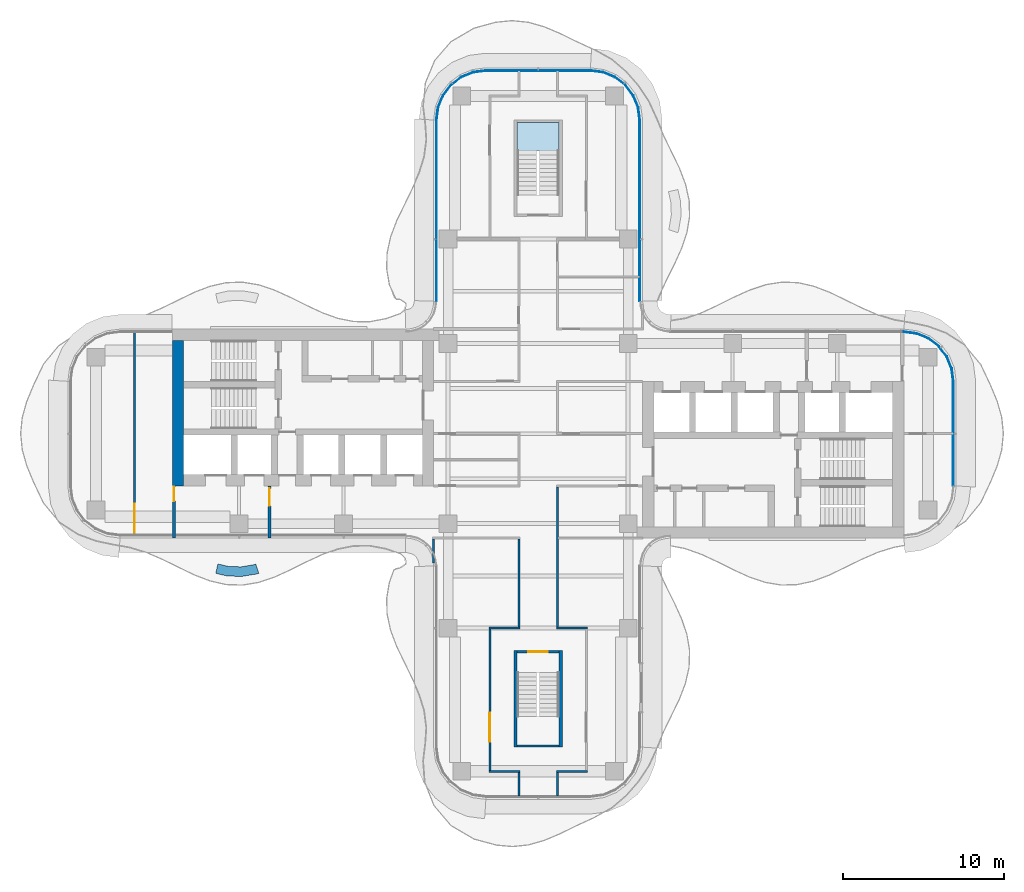
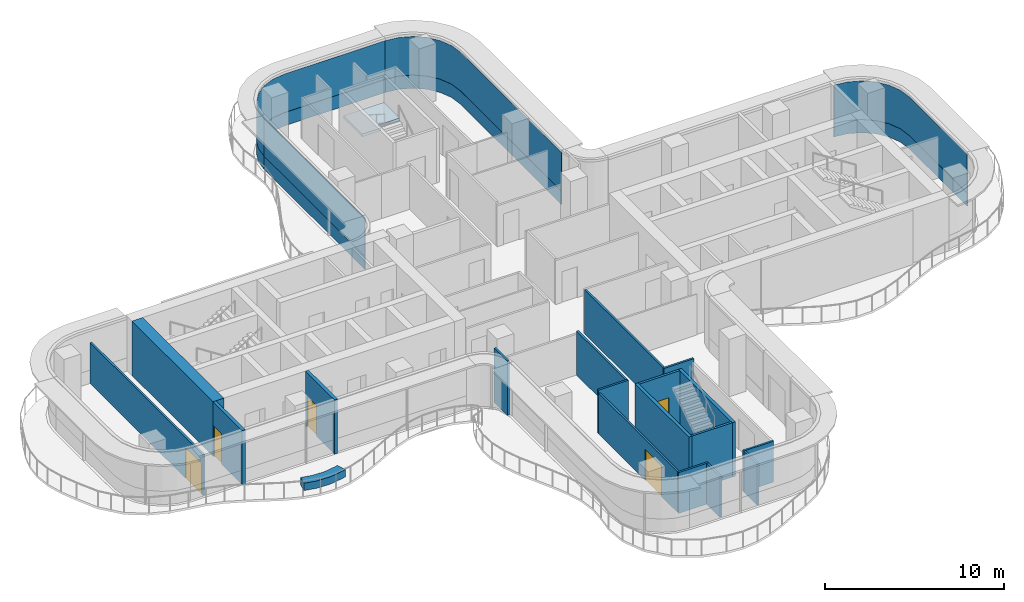
# One storey, part 10 of 16: 19 walls, 8 plates, 5 doors, 1 slab, 5 openings, 5 elements without a shape of their own.
"""IFC4 building model written with IfcOpenShell, lengths in metres."""

import ifcopenshell
import ifcopenshell.guid

model = None  # the IFC model being written
_history = None  # IfcOwnerHistory: only IFC2X3 demands one
_inside = {}  # id of a spatial element -> (the spatial element, [elements in it])
_under = {}  # id of a project, library or spatial element -> (it, [spatial elements below it])
_declared = {}  # id of a project -> (the project, [libraries it declares])
_typed = {}  # id of a type object -> (the type object, [elements of that type])
_made_of = {}  # id of a material, layer set ... -> (it, [elements and type objects made of it])


def new_model(schema):
    """Start an empty IFC model of exactly this schema.

    Asked for "IFC4X3", IfcOpenShell would pick the latest addendum, in which some entities
    have other attributes; the version numbers below select the first issue.
    IFC2X3 requires an IfcOwnerHistory on every rooted entity: one is made here for all.
    """
    global model, _history
    if schema == "IFC4X3":
        model = ifcopenshell.file(schema_version=(4, 3, 0, 0))
    else:
        model = ifcopenshell.file(schema=schema)
    _inside.clear()
    _under.clear()
    _declared.clear()
    _typed.clear()
    _made_of.clear()
    _history = None
    if model.schema == "IFC2X3":
        org = make("IfcOrganization", Name="unknown")
        user = make(
            "IfcPersonAndOrganization",
            ThePerson=make("IfcPerson", FamilyName="unknown"),
            TheOrganization=org,
        )
        app = make(
            "IfcApplication",
            ApplicationDeveloper=org,
            Version="unknown",
            ApplicationFullName="unknown",
            ApplicationIdentifier="unknown",
        )
        _history = make(
            "IfcOwnerHistory",
            OwningUser=user,
            OwningApplication=app,
            ChangeAction="ADDED",
            CreationDate=0,
        )
    return model


def make(cls, **values):
    """One entity of the class cls with the attributes given. An attribute that is None is left unset."""
    return model.create_entity(
        cls, **{name: value for name, value in values.items() if value is not None}
    )


def rooted(cls, **values):
    """An entity with a GlobalId (a new one), such as an element, a storey or a relation."""
    return make(cls, GlobalId=ifcopenshell.guid.new(), OwnerHistory=_history, **values)


def si_unit(unit_type, name, prefix=None):
    """IfcSIUnit, for example si_unit("LENGTHUNIT", "METRE", prefix="MILLI")."""
    return make("IfcSIUnit", UnitType=unit_type, Prefix=prefix, Name=name)


def assignment(units):
    """IfcUnitAssignment: the units of a project."""
    return None if units is None else make("IfcUnitAssignment", Units=units)


def point(xyz):
    """IfcCartesianPoint."""
    return None if xyz is None else make("IfcCartesianPoint", Coordinates=xyz)


def direction(xyz):
    """IfcDirection."""
    return None if xyz is None else make("IfcDirection", DirectionRatios=xyz)


def frame(location, z_axis=None, x_axis=None):
    """IfcAxis2Placement3D, a coordinate frame: its origin and axes. An axis left out is left unset."""
    return make(
        "IfcAxis2Placement3D",
        Location=point(location),
        Axis=direction(z_axis),
        RefDirection=direction(x_axis),
    )


def frame_2d(location, x_axis=None):
    """IfcAxis2Placement2D, a coordinate frame in the plane: its origin and x axis."""
    return make(
        "IfcAxis2Placement2D", Location=point(location), RefDirection=direction(x_axis)
    )


def origin():
    """The frame at (0, 0, 0) with its axes left unset."""
    return frame((0.0, 0.0, 0.0))


def place(relative_to, where):
    """IfcLocalPlacement: puts the frame where relative to a parent placement (None: the world)."""
    return make(
        "IfcLocalPlacement", PlacementRelTo=relative_to, RelativePlacement=where
    )


def context(
    kind, dimensions, precision=None, world=None, true_north=None, identifier=None
):
    """IfcGeometricRepresentationContext, for example the 3D "Model" context."""
    return make(
        "IfcGeometricRepresentationContext",
        ContextIdentifier=identifier,
        ContextType=kind,
        CoordinateSpaceDimension=dimensions,
        Precision=precision,
        WorldCoordinateSystem=world,
        TrueNorth=true_north,
    )


def subcontext(parent, identifier, kind, view, scale=None):
    """IfcGeometricRepresentationSubContext, for example "Body" below "Model"."""
    return make(
        "IfcGeometricRepresentationSubContext",
        ContextIdentifier=identifier,
        ContextType=kind,
        ParentContext=parent,
        TargetScale=scale,
        TargetView=view,
    )


def project(units=None, contexts=None):
    """IfcProject with its units and contexts."""
    return rooted(
        "IfcProject",
        Name="project",
        RepresentationContexts=contexts,
        UnitsInContext=assignment(units),
    )


def spatial(cls, under=None, at=None, **own):
    """A site, building, storey or space (cls), placed at a placement, below another one or the project."""
    s = rooted(cls, ObjectPlacement=at, **own)
    if under is not None:
        _under.setdefault(under.id(), (under, []))[1].append(s)
    return s


def polyline(points):
    """IfcPolyline through the points."""
    return make("IfcPolyline", Points=[point(p) for p in points])


def profile(cls, at=None, kind="AREA", **sizes):
    """A parametric profile (cls). Its sizes go by their IFC names, for example OverallWidth=200.0."""
    return make(cls, ProfileType=kind, Position=at, **sizes)


def rectangle(**sizes):
    """IfcRectangleProfileDef."""
    return profile("IfcRectangleProfileDef", **sizes)


def outline(outer, holes=None, kind="AREA"):
    """IfcArbitraryClosedProfileDef: a profile drawn as a closed curve; with holes, ...WithVoids."""
    if holes is None:
        return make("IfcArbitraryClosedProfileDef", ProfileType=kind, OuterCurve=outer)
    return make(
        "IfcArbitraryProfileDefWithVoids",
        ProfileType=kind,
        OuterCurve=outer,
        InnerCurves=holes,
    )


def extrude(swept, where, along, depth):
    """IfcExtrudedAreaSolid: the profile swept, set in the frame where, extruded along a direction by depth."""
    return make(
        "IfcExtrudedAreaSolid",
        SweptArea=swept,
        Position=where,
        ExtrudedDirection=direction(along),
        Depth=depth,
    )


def shape(context_of_items, identifier, shape_type, items):
    """IfcShapeRepresentation: the items that make up one representation, for example the "Body"."""
    return make(
        "IfcShapeRepresentation",
        ContextOfItems=context_of_items,
        RepresentationIdentifier=identifier,
        RepresentationType=shape_type,
        Items=items,
    )


def source(mapping_origin, context_of_items, identifier, shape_type, items):
    """IfcRepresentationMap: a shape defined once, which mapped items show again and again."""
    return make(
        "IfcRepresentationMap",
        MappingOrigin=mapping_origin,
        MappedRepresentation=shape(context_of_items, identifier, shape_type, items),
    )


def transform(
    local_origin,
    x_axis=None,
    y_axis=None,
    z_axis=None,
    scale=None,
    scale2=None,
    scale3=None,
    uniform=True,
):
    """IfcCartesianTransformationOperator3D, or its non-uniform kind. x_axis, y_axis, z_axis: its Axis1, 2, 3."""
    if uniform:
        return make(
            "IfcCartesianTransformationOperator3D",
            Axis1=direction(x_axis),
            Axis2=direction(y_axis),
            LocalOrigin=point(local_origin),
            Scale=scale,
            Axis3=direction(z_axis),
        )
    return make(
        "IfcCartesianTransformationOperator3DnonUniform",
        Axis1=direction(x_axis),
        Axis2=direction(y_axis),
        LocalOrigin=point(local_origin),
        Scale=scale,
        Axis3=direction(z_axis),
        Scale2=scale2,
        Scale3=scale3,
    )


def mapped(mapping_source, mapping_target):
    """IfcMappedItem: shows the shape of a source again, moved by a transform."""
    return make(
        "IfcMappedItem", MappingSource=mapping_source, MappingTarget=mapping_target
    )


def material(Name=None, Category=None):
    """IfcMaterial."""
    return make("IfcMaterial", Name=Name, Category=Category)


def layer(
    of_material, thickness, ventilated=None, Name=None, Category=None, Priority=None
):
    """IfcMaterialLayer: one layer of a wall or slab, of a material (None: an air gap)."""
    return make(
        "IfcMaterialLayer",
        Material=of_material,
        LayerThickness=thickness,
        IsVentilated=ventilated,
        Name=Name,
        Category=Category,
        Priority=Priority,
    )


def layer_set(layers, Name=None):
    """IfcMaterialLayerSet."""
    return make("IfcMaterialLayerSet", MaterialLayers=layers, LayerSetName=Name)


def made_of(thing, what):
    """Note that an element or type object is made of a material, layer set ...; save() writes the relation."""
    if what is not None:
        _made_of.setdefault(what.id(), (what, []))[1].append(thing)
    return thing


def type_object(cls, material=None, **own):
    """A type object (cls), such as IfcWallType, which elements share."""
    return made_of(rooted(cls, **own), material)


def element(
    cls,
    number,
    at=None,
    inside=None,
    cuts=None,
    type_object=None,
    material=None,
    context=None,
    identifier="Body",
    shape_type=None,
    held_by="IfcProductDefinitionShape",
    body=None,
    shapes=None,
    **own,
):
    """One element of the class cls, such as IfcWall. Its Tag is "e" and its number.

    at: its placement. inside: the storey or other place that contains it. cuts: it is an
    opening in that element (IfcRelVoidsElement). A single representation is given by context,
    identifier, shape_type and body (its items); several are given by shapes. held_by: the class
    of the entity that holds the representations. save() writes the other relations.
    """
    e = rooted(cls, Tag="e%d" % number, ObjectPlacement=at, **own)
    if body is not None:
        shapes = [shape(context, identifier, shape_type, body)]
    if shapes is not None:
        e.Representation = make(held_by, Representations=shapes)
    if inside is not None:
        _inside.setdefault(inside.id(), (inside, []))[1].append(e)
    if cuts is not None:
        rooted(
            "IfcRelVoidsElement", RelatingBuildingElement=cuts, RelatedOpeningElement=e
        )
    if type_object is not None:
        _typed.setdefault(type_object.id(), (type_object, []))[1].append(e)
    return made_of(e, material)


def fill(opening, filler):
    """IfcRelFillsElement: the door or window that sits in an opening."""
    return rooted(
        "IfcRelFillsElement",
        RelatingOpeningElement=opening,
        RelatedBuildingElement=filler,
    )


def aggregate(whole, parts):
    """IfcRelAggregates: a whole, such as a stair, and the parts it consists of."""
    return rooted("IfcRelAggregates", RelatingObject=whole, RelatedObjects=parts)


def save(model, path):
    """Write the relations noted so far, then the file.

    IfcRelAggregates (storeys below a building ...), IfcRelContainedInSpatialStructure (elements
    in a storey), IfcRelDefinesByType, IfcRelAssociatesMaterial and IfcRelDeclares: one each for
    every whole, place, type object, material and project.
    """
    for whole, parts in _under.values():
        aggregate(whole, parts)
    for where, things in _inside.values():
        rooted(
            "IfcRelContainedInSpatialStructure",
            RelatedElements=things,
            RelatingStructure=where,
        )
    for kind, things in _typed.values():
        rooted("IfcRelDefinesByType", RelatedObjects=things, RelatingType=kind)
    for what, things in _made_of.values():
        rooted("IfcRelAssociatesMaterial", RelatedObjects=things, RelatingMaterial=what)
    for by, libraries in _declared.values():
        rooted("IfcRelDeclares", RelatingContext=by, RelatedDefinitions=libraries)
    model.write(path)


model = new_model("IFC4")

# Units and contexts
model_context = context("Model", 3, precision=1e-05, world=origin(), true_north=direction((0.0, 1.0)))
body_context = subcontext(model_context, "Body", "Model", "MODEL_VIEW")
ifc_project = project(units=[si_unit("LENGTHUNIT", "METRE"), si_unit("AREAUNIT", "SQUARE_METRE"), si_unit("VOLUMEUNIT", "CUBIC_METRE"), si_unit("PLANEANGLEUNIT", "RADIAN"), si_unit("MASSUNIT", "GRAM", prefix="KILO")], contexts=[model_context])

# Site, building, storey
site_placement = place(None, origin())
site = spatial("IfcSite", under=ifc_project, at=site_placement, CompositionType="ELEMENT")
building_placement = place(site_placement, origin())
building = spatial("IfcBuilding", under=site, at=building_placement, Name="Trellis Farm Tower", CompositionType="ELEMENT")
storey_placement = place(building_placement, frame((0.0, 0.0, 251.89990234375)))
storey = spatial("IfcBuildingStorey", under=building, at=storey_placement, Name="L56", CompositionType="ELEMENT", Elevation=251.89990234375)

# Stair, slab
ifc_material_1 = material(Name="Concrete C50/60", Category="concrete")
stair_type = type_object("IfcStairType", Name="CORE EXIT STAIR 22 RISERS 177 MM", PredefinedType="HALF_TURN_STAIR", material=ifc_material_1)
placement_1 = place(storey_placement, origin())
stair = element("IfcStair", 1, at=placement_1, inside=storey, type_object=stair_type, Name="Exit stair N", PredefinedType="HALF_TURN_STAIR")
ifc_layer_1 = layer(ifc_material_1, 0.18994140625)
ifc_layer_set_1 = layer_set([ifc_layer_1], Name="CORE STAIR LANDING 190 CONCRETE C50/60")
slab_type = type_object("IfcSlabType", Name="CORE STAIR LANDING 190 CONCRETE C50/60", PredefinedType="LANDING", material=ifc_layer_set_1)
shared_shape_1 = source(origin(), body_context, "Body", "SweptSolid", [
    extrude(outline(polyline([(-0.10009765625, 17.27197265625), (-1.300048828125, 17.27197265625), (-1.300048828125, 17.60009765625), (-1.300048828125, 19.35009765625), (1.300048828125, 19.35009765625), (1.300048828125, 17.60009765625), (1.300048828125, 17.590087890625), (0.10009765625, 17.590087890625), (0.10009765625, 17.60009765625), (-0.10009765625, 17.60009765625), (-0.10009765625, 17.27197265625)])), origin(), (0.0, 0.0, 1.0), 0.190185546875),
])
slab_placement = place(storey_placement, frame((0.0, 0.0, 1.760009765625)))
slab = element("IfcSlab", 2, at=slab_placement, type_object=slab_type, Name="STN landing 1", PredefinedType="LANDING", context=body_context, shape_type="MappedRepresentation", body=[
    mapped(shared_shape_1, transform((0.0, 0.0, 0.0))),
])
aggregate(stair, [slab])

# Curtain wall, plates
ifc_material_2 = material(Name="Aluminium and glass curtain wall", Category="aluminium")
ifc_layer_2 = layer(ifc_material_2, 0.18994140625)
ifc_layer_set_2 = layer_set([ifc_layer_2], Name="RIBBON CURTAIN WALL CW1")
curtain_wall_type = type_object("IfcCurtainWallType", Name="RIBBON CURTAIN WALL CW1", PredefinedType="NOTDEFINED", material=ifc_layer_set_2)
curtain_wall_1 = element("IfcCurtainWall", 3, at=placement_1, inside=storey, type_object=curtain_wall_type, Name="CW1 009", PredefinedType="NOTDEFINED")
ifc_material_3 = material(Name="Clear insulated glass", Category="glass")
ifc_layer_3 = layer(ifc_material_3, 0.0400390625)
ifc_layer_set_3 = layer_set([ifc_layer_3], Name="CW1 GLASS PANEL 40")
plate_type_1 = type_object("IfcPlateType", Name="CW1 GLASS PANEL 40", PredefinedType="CURTAIN_PANEL", material=ifc_layer_set_3)
shared_shape_2 = source(origin(), body_context, "Body", "SweptSolid", [
    extrude(outline(polyline([(6.35009765625, 8.2265625), (6.35009765625, 19.490234375), (6.2431640625, 20.302001953125), (5.93359375, 21.04931640625), (5.441162109375, 21.691162109375), (4.79931640625, 22.18359375), (4.052001953125, 22.4931640625), (3.240234375, 22.60009765625), (3.237548828125, 22.56005859375), (4.04150390625, 22.4541015625), (4.779296875, 22.148681640625), (5.41259765625, 21.66259765625), (5.898681640625, 21.029296875), (6.2041015625, 20.29150390625), (6.31005859375, 19.487548828125), (6.31005859375, 8.22509765625), (6.35009765625, 8.2265625)])), origin(), (0.0, 0.0, 1.0), 2.619873046875),
])
placement_2 = place(storey_placement, frame((0.0, 0.0, 0.900146484375)))
plate_1 = element("IfcPlate", 4, at=placement_2, type_object=plate_type_1, Name="PL1 009", PredefinedType="CURTAIN_PANEL", context=body_context, shape_type="MappedRepresentation", body=[
    mapped(shared_shape_2, transform((0.0, 0.0, 0.0))),
])
ifc_material_4 = material(Name="Sandstone faced insulated panel", Category="masonry")
ifc_layer_4 = layer(ifc_material_4, 0.050048828125)
ifc_layer_set_4 = layer_set([ifc_layer_4], Name="CW1 STONE SPANDREL PANEL 50")
plate_type_2 = type_object("IfcPlateType", Name="CW1 STONE SPANDREL PANEL 50", PredefinedType="CURTAIN_PANEL", material=ifc_layer_set_4)
shared_shape_3 = source(origin(), body_context, "Body", "SweptSolid", [
    extrude(outline(polyline([(6.35009765625, 8.2265625), (6.35009765625, 19.490234375), (6.2431640625, 20.302001953125), (5.93359375, 21.04931640625), (5.441162109375, 21.691162109375), (4.79931640625, 22.18359375), (4.052001953125, 22.4931640625), (3.240234375, 22.60009765625), (3.23681640625, 22.550048828125), (4.0390625, 22.4443359375), (4.774169921875, 22.139892578125), (5.405517578125, 21.655517578125), (5.889892578125, 21.024169921875), (6.1943359375, 20.2890625), (6.300048828125, 19.48681640625), (6.300048828125, 8.224853515625), (6.35009765625, 8.2265625)])), origin(), (0.0, 0.0, 1.0), 0.900146484375),
])
plate_2 = element("IfcPlate", 5, at=placement_1, type_object=plate_type_2, Name="PS1 009", PredefinedType="CURTAIN_PANEL", context=body_context, shape_type="MappedRepresentation", body=[
    mapped(shared_shape_3, transform((0.0, 0.0, 0.0))),
])
aggregate(curtain_wall_1, [plate_1, plate_2])

curtain_wall_2 = element("IfcCurtainWall", 6, at=placement_1, inside=storey, type_object=curtain_wall_type, Name="CW1 011", PredefinedType="NOTDEFINED")
shared_shape_4 = source(origin(), body_context, "Body", "SweptSolid", [
    extrude(outline(polyline([(-6.35009765625, 19.490234375), (-6.35009765625, 8.2265625), (-6.31005859375, 8.22509765625), (-6.31005859375, 19.487548828125), (-6.35009765625, 19.490234375)])), origin(), (0.0, 0.0, 1.0), 2.619873046875),
])
plate_3 = element("IfcPlate", 7, at=placement_2, type_object=plate_type_1, Name="PL1 011", PredefinedType="CURTAIN_PANEL", context=body_context, shape_type="MappedRepresentation", body=[
    mapped(shared_shape_4, transform((0.0, 0.0, 0.0))),
])
shared_shape_5 = source(origin(), body_context, "Body", "SweptSolid", [
    extrude(outline(polyline([(-6.35009765625, 19.490234375), (-6.35009765625, 8.2265625), (-6.300048828125, 8.224853515625), (-6.300048828125, 19.48681640625), (-6.35009765625, 19.490234375)])), origin(), (0.0, 0.0, 1.0), 0.900146484375),
])
plate_4 = element("IfcPlate", 8, at=placement_1, type_object=plate_type_2, Name="PS1 011", PredefinedType="CURTAIN_PANEL", context=body_context, shape_type="MappedRepresentation", body=[
    mapped(shared_shape_5, transform((0.0, 0.0, 0.0))),
])
aggregate(curtain_wall_2, [plate_3, plate_4])

curtain_wall_3 = element("IfcCurtainWall", 9, at=placement_1, inside=storey, type_object=curtain_wall_type, Name="CW1 010", PredefinedType="NOTDEFINED")
shared_shape_6 = source(origin(), body_context, "Body", "SweptSolid", [
    extrude(outline(polyline([(3.240234375, 22.60009765625), (-3.240234375, 22.60009765625), (-4.052001953125, 22.4931640625), (-4.79931640625, 22.18359375), (-5.441162109375, 21.691162109375), (-5.93359375, 21.04931640625), (-6.2431640625, 20.302001953125), (-6.35009765625, 19.490234375), (-6.31005859375, 19.487548828125), (-6.2041015625, 20.29150390625), (-5.898681640625, 21.029296875), (-5.41259765625, 21.66259765625), (-4.779296875, 22.148681640625), (-4.04150390625, 22.4541015625), (-3.237548828125, 22.56005859375), (3.237548828125, 22.56005859375), (3.240234375, 22.60009765625)])), origin(), (0.0, 0.0, 1.0), 2.619873046875),
])
plate_5 = element("IfcPlate", 10, at=placement_2, type_object=plate_type_1, Name="PL1 010", PredefinedType="CURTAIN_PANEL", context=body_context, shape_type="MappedRepresentation", body=[
    mapped(shared_shape_6, transform((0.0, 0.0, 0.0))),
])
shared_shape_7 = source(origin(), body_context, "Body", "SweptSolid", [
    extrude(outline(polyline([(3.240234375, 22.60009765625), (-3.240234375, 22.60009765625), (-4.052001953125, 22.4931640625), (-4.79931640625, 22.18359375), (-5.441162109375, 21.691162109375), (-5.93359375, 21.04931640625), (-6.2431640625, 20.302001953125), (-6.35009765625, 19.490234375), (-6.300048828125, 19.48681640625), (-6.1943359375, 20.2890625), (-5.889892578125, 21.024169921875), (-5.405517578125, 21.655517578125), (-4.774169921875, 22.139892578125), (-4.0390625, 22.4443359375), (-3.23681640625, 22.550048828125), (3.23681640625, 22.550048828125), (3.240234375, 22.60009765625)])), origin(), (0.0, 0.0, 1.0), 0.900146484375),
])
plate_6 = element("IfcPlate", 11, at=placement_1, type_object=plate_type_2, Name="PS1 010", PredefinedType="CURTAIN_PANEL", context=body_context, shape_type="MappedRepresentation", body=[
    mapped(shared_shape_7, transform((0.0, 0.0, 0.0))),
])
aggregate(curtain_wall_3, [plate_5, plate_6])

curtain_wall_4 = element("IfcCurtainWall", 12, at=placement_1, inside=storey, type_object=curtain_wall_type, Name="CW1 007", PredefinedType="NOTDEFINED")
shared_shape_8 = source(origin(), body_context, "Body", "SweptSolid", [
    extrude(outline(polyline([(25.85009765625, -3.240234375), (25.85009765625, 3.240234375), (25.7431640625, 4.052001953125), (25.43359375, 4.79931640625), (24.941162109375, 5.441162109375), (24.29931640625, 5.93359375), (23.552001953125, 6.2431640625), (22.740234375, 6.35009765625), (22.737548828125, 6.31005859375), (23.54150390625, 6.2041015625), (24.279296875, 5.898681640625), (24.91259765625, 5.41259765625), (25.398681640625, 4.779296875), (25.7041015625, 4.04150390625), (25.81005859375, 3.237548828125), (25.81005859375, -3.237548828125), (25.85009765625, -3.240234375)])), origin(), (0.0, 0.0, 1.0), 2.619873046875),
])
plate_7 = element("IfcPlate", 13, at=placement_2, type_object=plate_type_1, Name="PL1 007", PredefinedType="CURTAIN_PANEL", context=body_context, shape_type="MappedRepresentation", body=[
    mapped(shared_shape_8, transform((0.0, 0.0, 0.0))),
])
shared_shape_9 = source(origin(), body_context, "Body", "SweptSolid", [
    extrude(outline(polyline([(25.85009765625, -3.240234375), (25.85009765625, 3.240234375), (25.7431640625, 4.052001953125), (25.43359375, 4.79931640625), (24.941162109375, 5.441162109375), (24.29931640625, 5.93359375), (23.552001953125, 6.2431640625), (22.740234375, 6.35009765625), (22.73681640625, 6.300048828125), (23.5390625, 6.1943359375), (24.274169921875, 5.889892578125), (24.905517578125, 5.405517578125), (25.389892578125, 4.774169921875), (25.6943359375, 4.0390625), (25.800048828125, 3.23681640625), (25.800048828125, -3.23681640625), (25.85009765625, -3.240234375)])), origin(), (0.0, 0.0, 1.0), 0.900146484375),
])
plate_8 = element("IfcPlate", 14, at=placement_1, type_object=plate_type_2, Name="PS1 007", PredefinedType="CURTAIN_PANEL", context=body_context, shape_type="MappedRepresentation", body=[
    mapped(shared_shape_9, transform((0.0, 0.0, 0.0))),
])
aggregate(curtain_wall_4, [plate_7, plate_8])

# Walls
ifc_material_5 = material(Name="Sandstone faced masonry planter", Category="masonry")
ifc_layer_5 = layer(ifc_material_5, 0.60009765625)
ifc_layer_set_5 = layer_set([ifc_layer_5], Name="PLANTER BED 600")
wall_type_1 = type_object("IfcWallType", Name="PLANTER BED 600", PredefinedType="USERDEFINED", material=ifc_layer_set_5)
element("IfcWall", 15, at=placement_1, inside=storey, type_object=wall_type_1, Name="PLANTER bed", ObjectType="PLANTER", PredefinedType="USERDEFINED", context=body_context, shape_type="SweptSolid", body=[
    extrude(outline(polyline([(-18.44921875, -8.88671875), (-19.338623046875, -8.854248046875), (-20.050048828125, -8.6923828125), (-19.9169921875, -8.107421875), (-19.260498046875, -8.256591796875), (-18.487060546875, -8.284912109375), (-17.665283203125, -8.151123046875), (-17.56005859375, -8.115478515625), (-17.368896484375, -8.684326171875), (-17.5205078125, -8.7353515625), (-18.44921875, -8.88671875)])), origin(), (0.0, 0.0, 1.0), 0.5),
])
ifc_material_6 = material(Name="Concrete C60/75", Category="concrete")
ifc_layer_6 = layer(ifc_material_6, 0.699951171875)
ifc_layer_set_6 = layer_set([ifc_layer_6], Name="CORE OUTER WALL 700 CONCRETE C60/75")
wall_type_2 = type_object("IfcWallType", Name="CORE OUTER WALL 700 CONCRETE C60/75", PredefinedType="SHEAR", material=ifc_layer_set_6)
shared_shape_10 = source(origin(), body_context, "Body", "SweptSolid", [
    extrude(rectangle(XDim=9.050048828125, YDim=0.699951171875, at=frame_2d((4.52490234375, 0.0))), origin(), (0.0, 0.0, 1.0), 3.7001953125),
])
wall_2_placement = place(storey_placement, frame((-22.39990234375, 5.800048828125, 0.0), z_axis=(0.0, 0.0, 1.0), x_axis=(0.0, -1.0, 0.0)))
element("IfcWall", 16, at=wall_2_placement, inside=storey, type_object=wall_type_2, Name="Core wall", PredefinedType="SHEAR", context=body_context, shape_type="MappedRepresentation", body=[
    mapped(shared_shape_10, transform((0.0, 0.0, 0.0))),
])

# Wall, opening, door
ifc_material_7 = material(Name="Masonry blockwork", Category="masonry")
ifc_layer_7 = layer(ifc_material_7, 0.199951171875)
ifc_layer_set_7 = layer_set([ifc_layer_7], Name="FIRE LOBBY PARTITION 200 BLOCKWORK")
wall_type_3 = type_object("IfcWallType", Name="FIRE LOBBY PARTITION 200 BLOCKWORK", PredefinedType="PARTITIONING", material=ifc_layer_set_7)
shared_shape_11 = source(origin(), body_context, "Body", "SweptSolid", [
    extrude(rectangle(XDim=3.25, YDim=0.199951171875, at=frame_2d((1.625, 0.0))), origin(), (0.0, 0.0, 1.0), 3.7001953125),
])
wall_3_placement = place(storey_placement, frame((-16.699951171875, -3.25, 0.0), z_axis=(0.0, 0.0, 1.0), x_axis=(0.0, -1.0, 0.0)))
wall_3 = element("IfcWall", 17, at=wall_3_placement, inside=storey, type_object=wall_type_3, Name="Fire-fighting lobby partition", PredefinedType="PARTITIONING", context=body_context, shape_type="MappedRepresentation", body=[
    mapped(shared_shape_11, transform((0.0, 0.0, 0.0))),
])
shared_shape_12 = source(origin(), body_context, "Body", "SweptSolid", [
    extrude(rectangle(XDim=1.10009765625, YDim=2.10009765625, at=frame_2d((0.550048828125, 1.050048828125))), frame((0.0, 0.110107421875, 0.0), z_axis=(0.0, -1.0, 0.0), x_axis=(1.0, 0.0, 0.0)), (0.0, 0.0, 1.0), 0.22021484375),
])
opening_1_placement = place(wall_3_placement, frame((0.14990234375, 0.0, 0.0)))
opening_1 = element("IfcOpeningElement", 18, at=opening_1_placement, cuts=wall_3, Name="Opening DC93", PredefinedType="OPENING", context=body_context, shape_type="MappedRepresentation", body=[
    mapped(shared_shape_12, transform((0.0, 0.0, 0.0))),
])
ifc_material_8 = material(Name="Steel", Category="steel")
door_type_1 = type_object("IfcDoorType", Name="CORE FIRE DOOR 1100 X 2100", OperationType="NOTDEFINED", PredefinedType="DOOR", material=ifc_material_8)
shared_shape_13 = source(origin(), body_context, "Body", "SweptSolid", [
    extrude(rectangle(XDim=1.10009765625, YDim=2.10009765625, at=frame_2d((0.550048828125, 1.050048828125))), frame((0.0, 0.02490234375, 0.0), z_axis=(0.0, -1.0, 0.0), x_axis=(1.0, 0.0, 0.0)), (0.0, 0.0, 1.0), 0.050048828125),
])
door_1_placement = place(opening_1_placement, origin())
door_1 = element("IfcDoor", 19, at=door_1_placement, inside=storey, type_object=door_type_1, Name="Core door", OperationType="SINGLE_SWING_RIGHT", OverallHeight=2.10009765625, OverallWidth=1.10009765625, PredefinedType="DOOR", context=body_context, shape_type="MappedRepresentation", body=[
    mapped(shared_shape_13, transform((0.0, 0.0, 0.0))),
])
fill(opening_1, door_1)

wall_4_placement = place(storey_placement, frame((-22.64990234375, -3.25, 0.0), z_axis=(0.0, 0.0, 1.0), x_axis=(0.0, -1.0, 0.0)))
wall_4 = element("IfcWall", 20, at=wall_4_placement, inside=storey, type_object=wall_type_3, Name="Fire-fighting lobby partition", PredefinedType="PARTITIONING", context=body_context, shape_type="MappedRepresentation", body=[
    mapped(shared_shape_11, transform((0.0, 0.0, 0.0))),
])
shared_shape_14 = source(origin(), body_context, "Body", "SweptSolid", [
    extrude(rectangle(XDim=0.89990234375, YDim=2.10009765625, at=frame_2d((0.449951171875, 1.050048828125))), frame((0.0, 0.110107421875, 0.0), z_axis=(0.0, -1.0, 0.0), x_axis=(1.0, 0.0, 0.0)), (0.0, 0.0, 1.0), 0.22021484375),
])
opening_2_placement = place(wall_4_placement, frame((0.050048828125, 0.0, 0.0)))
opening_2 = element("IfcOpeningElement", 21, at=opening_2_placement, cuts=wall_4, Name="Opening DC94", PredefinedType="OPENING", context=body_context, shape_type="MappedRepresentation", body=[
    mapped(shared_shape_14, transform((0.0, 0.0, 0.0))),
])
door_type_2 = type_object("IfcDoorType", Name="CORE FIRE DOOR 900 X 2100", OperationType="NOTDEFINED", PredefinedType="DOOR", material=ifc_material_8)
shared_shape_15 = source(origin(), body_context, "Body", "SweptSolid", [
    extrude(rectangle(XDim=0.89990234375, YDim=2.10009765625, at=frame_2d((0.449951171875, 1.050048828125))), frame((0.0, 0.02490234375, 0.0), z_axis=(0.0, -1.0, 0.0), x_axis=(1.0, 0.0, 0.0)), (0.0, 0.0, 1.0), 0.050048828125),
])
door_2_placement = place(opening_2_placement, origin())
door_2 = element("IfcDoor", 22, at=door_2_placement, inside=storey, type_object=door_type_2, Name="Core door", OperationType="SINGLE_SWING_RIGHT", OverallHeight=2.10009765625, OverallWidth=0.89990234375, PredefinedType="DOOR", context=body_context, shape_type="MappedRepresentation", body=[
    mapped(shared_shape_15, transform((0.0, 0.0, 0.0))),
])
fill(opening_2, door_2)

# Walls
ifc_layer_8 = layer(ifc_material_6, 0.199951171875)
ifc_layer_set_8 = layer_set([ifc_layer_8], Name="CORE STAIR ENCLOSURE WALL 200 CONCRETE C60/75")
wall_type_4 = type_object("IfcWallType", Name="CORE STAIR ENCLOSURE WALL 200 CONCRETE C60/75", PredefinedType="SHEAR", material=ifc_layer_set_8)
shared_shape_16 = source(origin(), body_context, "Body", "SweptSolid", [
    extrude(rectangle(XDim=6.0, YDim=0.199951171875, at=frame_2d((3.0, 0.0))), origin(), (0.0, 0.0, 1.0), 3.7001953125),
])
for number, where, z_axis, x_axis, name in (
    (23, (1.39990234375, -13.5, 0.0), (0.0, 0.0, 1.0), (0.0, -1.0, 0.0), "Stair enclosure wall"),
    (24, (-1.39990234375, -13.5, 0.0), (0.0, 0.0, 1.0), (0.0, -1.0, 0.0), "Stair enclosure wall"),
):
    element("IfcWall", number, at=place(storey_placement, frame(where, z_axis=z_axis, x_axis=x_axis)), inside=storey, type_object=wall_type_4, Name=name, PredefinedType="SHEAR", context=body_context, shape_type="MappedRepresentation", body=[
        mapped(shared_shape_16, transform((0.0, 0.0, 0.0))),
    ])

# Wall, opening, door
ifc_layer_9 = layer(ifc_material_6, 0.14990234375)
ifc_layer_set_9 = layer_set([ifc_layer_9], Name="CORE STAIR ENCLOSURE WALL 150 CONCRETE C60/75")
wall_type_5 = type_object("IfcWallType", Name="CORE STAIR ENCLOSURE WALL 150 CONCRETE C60/75", PredefinedType="SHEAR", material=ifc_layer_set_9)
shared_shape_17 = source(origin(), body_context, "Body", "SweptSolid", [
    extrude(rectangle(XDim=2.60009765625, YDim=0.14990234375, at=frame_2d((1.300048828125, 0.0))), origin(), (0.0, 0.0, 1.0), 3.7001953125),
])
wall_5_placement = place(storey_placement, frame((1.300048828125, -13.574951171875, 0.0), z_axis=(0.0, 0.0, 1.0), x_axis=(-1.0, 0.0, 0.0)))
wall_5 = element("IfcWall", 25, at=wall_5_placement, inside=storey, type_object=wall_type_5, Name="Stair enclosure wall", PredefinedType="SHEAR", context=body_context, shape_type="MappedRepresentation", body=[
    mapped(shared_shape_17, transform((0.0, 0.0, 0.0))),
])
shared_shape_18 = source(origin(), body_context, "Body", "SweptSolid", [
    extrude(rectangle(XDim=1.199951171875, YDim=2.10009765625, at=frame_2d((0.60009765625, 1.050048828125))), frame((0.0, 0.0849609375, 0.0), z_axis=(0.0, -1.0, 0.0), x_axis=(1.0, 0.0, 0.0)), (0.0, 0.0, 1.0), 0.169921875),
])
opening_3_placement = place(wall_5_placement, frame((0.699951171875, 0.0, 0.0)))
opening_3 = element("IfcOpeningElement", 26, at=opening_3_placement, cuts=wall_5, Name="Opening DC174", PredefinedType="OPENING", context=body_context, shape_type="MappedRepresentation", body=[
    mapped(shared_shape_18, transform((0.0, 0.0, 0.0))),
])
door_type_3 = type_object("IfcDoorType", Name="CORE FIRE DOOR 1200 X 2100", OperationType="NOTDEFINED", PredefinedType="DOOR", material=ifc_material_8)
shared_shape_19 = source(origin(), body_context, "Body", "SweptSolid", [
    extrude(rectangle(XDim=1.199951171875, YDim=2.10009765625, at=frame_2d((0.60009765625, 1.050048828125))), frame((0.0, 0.02490234375, 0.0), z_axis=(0.0, -1.0, 0.0), x_axis=(1.0, 0.0, 0.0)), (0.0, 0.0, 1.0), 0.050048828125),
])
door_3_placement = place(opening_3_placement, origin())
door_3 = element("IfcDoor", 27, at=door_3_placement, inside=storey, type_object=door_type_3, Name="Core door", OperationType="SINGLE_SWING_RIGHT", OverallHeight=2.10009765625, OverallWidth=1.199951171875, PredefinedType="DOOR", context=body_context, shape_type="MappedRepresentation", body=[
    mapped(shared_shape_19, transform((0.0, 0.0, 0.0))),
])
fill(opening_3, door_3)

# Walls
wall_6_placement = place(storey_placement, frame((1.300048828125, -19.425048828125, 0.0), z_axis=(0.0, 0.0, 1.0), x_axis=(-1.0, 0.0, 0.0)))
element("IfcWall", 28, at=wall_6_placement, inside=storey, type_object=wall_type_5, Name="Stair enclosure wall", PredefinedType="SHEAR", context=body_context, shape_type="MappedRepresentation", body=[
    mapped(shared_shape_17, transform((0.0, 0.0, 0.0))),
])
ifc_material_9 = material(Name="Plasterboard on steel studs, mineral wool", Category="steel")
ifc_layer_10 = layer(ifc_material_9, 0.125)
ifc_layer_set_10 = layer_set([ifc_layer_10], Name="PARTITION 125 STUD EI 60")
wall_type_6 = type_object("IfcWallType", Name="PARTITION 125 STUD EI 60", PredefinedType="PARTITIONING", material=ifc_layer_set_10)
shared_shape_20 = source(origin(), body_context, "Body", "SweptSolid", [
    extrude(rectangle(XDim=5.47509765625, YDim=0.125, at=frame_2d((2.737548828125, 0.0))), origin(), (0.0, 0.0, 1.0), 2.99658203125),
])
wall_7_placement = place(storey_placement, frame((-1.199951171875, -6.5625, 0.0), z_axis=(0.0, 0.0, 1.0), x_axis=(0.0, -1.0, 0.0)))
element("IfcWall", 29, at=wall_7_placement, inside=storey, type_object=wall_type_6, Name="Partition PW1", PredefinedType="PARTITIONING", context=body_context, shape_type="MappedRepresentation", body=[
    mapped(shared_shape_20, transform((0.0, 0.0, 0.0))),
])

# Wall, opening, door
shared_shape_21 = source(origin(), body_context, "Body", "SweptSolid", [
    extrude(rectangle(XDim=12.60009765625, YDim=0.125, at=frame_2d((6.300048828125, 0.0))), origin(), (0.0, 0.0, 1.0), 2.780029296875),
])
wall_8_placement = place(storey_placement, frame((-25.10009765625, -6.300048828125, 0.0), z_axis=(0.0, 0.0, 1.0), x_axis=(0.0, 1.0, 0.0)))
wall_8 = element("IfcWall", 30, at=wall_8_placement, inside=storey, type_object=wall_type_6, Name="Partition PW1", PredefinedType="PARTITIONING", context=body_context, shape_type="MappedRepresentation", body=[
    mapped(shared_shape_21, transform((0.0, 0.0, 0.0))),
])
shared_shape_22 = source(origin(), body_context, "Body", "SweptSolid", [
    extrude(rectangle(XDim=1.800048828125, YDim=2.10009765625, at=frame_2d((0.89990234375, 1.050048828125))), frame((0.0, 0.072509765625, 0.0), z_axis=(0.0, -1.0, 0.0), x_axis=(1.0, 0.0, 0.0)), (0.0, 0.0, 1.0), 0.14501953125),
])
opening_4_placement = place(wall_8_placement, frame((0.14990234375, 0.0, 0.0)))
opening_4 = element("IfcOpeningElement", 31, at=opening_4_placement, cuts=wall_8, Name="Opening D203", PredefinedType="OPENING", context=body_context, shape_type="MappedRepresentation", body=[
    mapped(shared_shape_22, transform((0.0, 0.0, 0.0))),
])
ifc_material_10 = material(Name="Fire-rated timber door leaf in a hollow metal frame", Category="wood")
door_type_4 = type_object("IfcDoorType", Name="DOOR PAIR 1800x2100 FD30S", OperationType="NOTDEFINED", PredefinedType="DOOR", material=ifc_material_10)
shared_shape_23 = source(origin(), body_context, "Body", "SweptSolid", [
    extrude(rectangle(XDim=1.800048828125, YDim=2.10009765625, at=frame_2d((0.89990234375, 1.050048828125))), frame((0.0, 0.02490234375, 0.0), z_axis=(0.0, -1.0, 0.0), x_axis=(1.0, 0.0, 0.0)), (0.0, 0.0, 1.0), 0.050048828125),
])
door_4_placement = place(opening_4_placement, origin())
door_4 = element("IfcDoor", 32, at=door_4_placement, inside=storey, type_object=door_type_4, Name="Door D203", OperationType="DOUBLE_DOOR_SINGLE_SWING", OverallHeight=2.10009765625, OverallWidth=1.800048828125, PredefinedType="DOOR", context=body_context, shape_type="MappedRepresentation", body=[
    mapped(shared_shape_23, transform((0.0, 0.0, 0.0))),
])
fill(opening_4, door_4)

# Walls
shared_shape_24 = source(origin(), body_context, "Body", "SweptSolid", [
    extrude(rectangle(XDim=1.468994140625, YDim=0.125, at=frame_2d((0.734375, 0.0))), origin(), (0.0, 0.0, 1.0), 3.7001953125),
])
wall_9_placement = place(storey_placement, frame((-6.5, -6.5625, 0.0), z_axis=(0.0, 0.0, 1.0), x_axis=(0.0, -1.0, 0.0)))
element("IfcWall", 33, at=wall_9_placement, inside=storey, type_object=wall_type_6, Name="Partition PW1", PredefinedType="PARTITIONING", context=body_context, shape_type="MappedRepresentation", body=[
    mapped(shared_shape_24, transform((0.0, 0.0, 0.0))),
])
shared_shape_25 = source(origin(), body_context, "Body", "SweptSolid", [
    extrude(rectangle(XDim=8.72509765625, YDim=0.125, at=frame_2d((4.362548828125, 0.0))), origin(), (0.0, 0.0, 1.0), 2.99658203125),
])
wall_10_placement = place(storey_placement, frame((1.199951171875, -3.3125, 0.0), z_axis=(0.0, 0.0, 1.0), x_axis=(0.0, -1.0, 0.0)))
element("IfcWall", 34, at=wall_10_placement, inside=storey, type_object=wall_type_6, Name="Partition PW1", PredefinedType="PARTITIONING", context=body_context, shape_type="MappedRepresentation", body=[
    mapped(shared_shape_25, transform((0.0, 0.0, 0.0))),
])
shared_shape_26 = source(origin(), body_context, "Body", "SweptSolid", [
    extrude(rectangle(XDim=1.925048828125, YDim=0.125, at=frame_2d((0.96240234375, 0.0))), origin(), (0.0, 0.0, 1.0), 2.99658203125),
])
for number, where, z_axis, x_axis, name in (
    (35, (-3.0625, -12.10009765625, 0.0), (0.0, 0.0, 1.0), (1.0, 0.0, 0.0), "Partition PW1"),
    (36, (1.137451171875, -12.10009765625, 0.0), (0.0, 0.0, 1.0), (1.0, 0.0, 0.0), "Partition PW1"),
):
    element("IfcWall", number, at=place(storey_placement, frame(where, z_axis=z_axis, x_axis=x_axis)), inside=storey, type_object=wall_type_6, Name=name, PredefinedType="PARTITIONING", context=body_context, shape_type="MappedRepresentation", body=[
        mapped(shared_shape_26, transform((0.0, 0.0, 0.0))),
    ])

# Wall, opening, door
shared_shape_27 = source(origin(), body_context, "Body", "SweptSolid", [
    extrude(rectangle(XDim=8.77490234375, YDim=0.125, at=frame_2d((4.387451171875, 0.0))), origin(), (0.0, 0.0, 1.0), 2.780029296875),
])
wall_11_placement = place(storey_placement, frame((-3.0, -20.9375, 0.0), z_axis=(0.0, 0.0, 1.0), x_axis=(0.0, 1.0, 0.0)))
wall_11 = element("IfcWall", 37, at=wall_11_placement, inside=storey, type_object=wall_type_6, Name="Partition PW1", PredefinedType="PARTITIONING", context=body_context, shape_type="MappedRepresentation", body=[
    mapped(shared_shape_27, transform((0.0, 0.0, 0.0))),
])
opening_5_placement = place(wall_11_placement, frame((1.78759765625, 0.0, 0.0)))
opening_5 = element("IfcOpeningElement", 38, at=opening_5_placement, cuts=wall_11, Name="Opening D201", PredefinedType="OPENING", context=body_context, shape_type="MappedRepresentation", body=[
    mapped(shared_shape_22, transform((0.0, 0.0, 0.0))),
])
door_5_placement = place(opening_5_placement, origin())
door_5 = element("IfcDoor", 39, at=door_5_placement, inside=storey, type_object=door_type_4, Name="Door D201", OperationType="DOUBLE_DOOR_SINGLE_SWING", OverallHeight=2.10009765625, OverallWidth=1.800048828125, PredefinedType="DOOR", context=body_context, shape_type="MappedRepresentation", body=[
    mapped(shared_shape_23, transform((0.0, 0.0, 0.0))),
])
fill(opening_5, door_5)

# Walls
shared_shape_28 = source(origin(), body_context, "Body", "SweptSolid", [
    extrude(rectangle(XDim=1.487548828125, YDim=0.125, at=frame_2d((0.74365234375, 0.0))), origin(), (0.0, 0.0, 1.0), 2.780029296875),
])
for number, where, z_axis, x_axis, name in (
    (40, (-1.199951171875, -21.0625, 0.0), (0.0, 0.0, 1.0), (0.0, -1.0, 0.0), "Partition PW1"),
    (41, (1.199951171875, -21.0625, 0.0), (0.0, 0.0, 1.0), (0.0, -1.0, 0.0), "Partition PW1"),
):
    element("IfcWall", number, at=place(storey_placement, frame(where, z_axis=z_axis, x_axis=x_axis)), inside=storey, type_object=wall_type_6, Name=name, PredefinedType="PARTITIONING", context=body_context, shape_type="MappedRepresentation", body=[
        mapped(shared_shape_28, transform((0.0, 0.0, 0.0))),
    ])
shared_shape_29 = source(origin(), body_context, "Body", "SweptSolid", [
    extrude(rectangle(XDim=1.925048828125, YDim=0.125, at=frame_2d((0.96240234375, 0.0))), origin(), (0.0, 0.0, 1.0), 2.780029296875),
])
for number, where, z_axis, x_axis, name in (
    (42, (-1.137451171875, -21.0, 0.0), (0.0, 0.0, 1.0), (-1.0, 0.0, 0.0), "Partition PW1"),
    (43, (3.0625, -21.0, 0.0), (0.0, 0.0, 1.0), (-1.0, 0.0, 0.0), "Partition PW1"),
):
    element("IfcWall", number, at=place(storey_placement, frame(where, z_axis=z_axis, x_axis=x_axis)), inside=storey, type_object=wall_type_6, Name=name, PredefinedType="PARTITIONING", context=body_context, shape_type="MappedRepresentation", body=[
        mapped(shared_shape_29, transform((0.0, 0.0, 0.0))),
    ])

save(model, "model.ifc")
